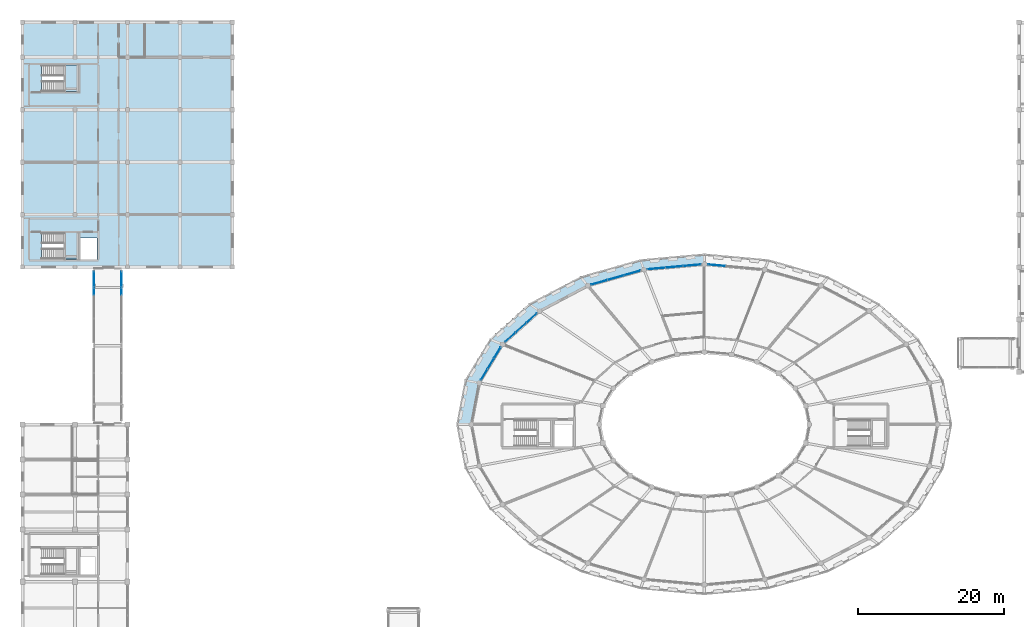
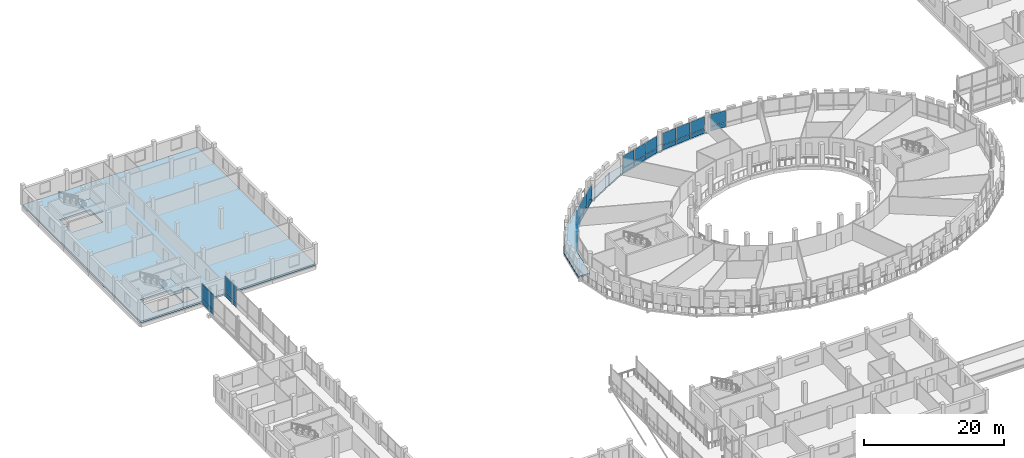
# One storey, part 101 of 128: 30 plates, 4 slabs, 9 elements without a shape of their own.
"""IFC4 building model written with IfcOpenShell, lengths in metres."""

from ifc_helpers import new_model, si_unit, direction, frame, origin, origin_2d, place, context, subcontext, project, spatial, polyline, rectangle, outline, extrude, material, layer, layer_set, type_object, element, aggregate, save


model = new_model("IFC4")

# Units and contexts
model_context = context("Model", 3, precision=1e-05, world=origin(), true_north=direction((0.0, 1.0)))
body_context = subcontext(model_context, "Body", "Model", "MODEL_VIEW")
ifc_project = project(units=[si_unit("LENGTHUNIT", "METRE"), si_unit("AREAUNIT", "SQUARE_METRE"), si_unit("VOLUMEUNIT", "CUBIC_METRE"), si_unit("PLANEANGLEUNIT", "RADIAN"), si_unit("MASSUNIT", "GRAM", prefix="KILO")], contexts=[model_context])

# Site, building, storey
site_placement = place(None, origin())
site = spatial("IfcSite", under=ifc_project, at=site_placement, CompositionType="ELEMENT")
building_placement = place(site_placement, origin())
building = spatial("IfcBuilding", under=site, at=building_placement, Name="Zornivar Specialist Clinic", CompositionType="ELEMENT")
storey_placement = place(building_placement, frame((0.0, 0.0, 4.5)))
storey = spatial("IfcBuildingStorey", under=building, at=storey_placement, Name="L01", CompositionType="ELEMENT", Elevation=4.5)

# Curtain wall, plate
ifc_material_1 = material(Name="Aluminium and Low-E Glass Curtain Wall", Category="aluminium")
curtain_wall_type_1 = type_object("IfcCurtainWallType", Name="CW-DRUM-FACET", PredefinedType="NOTDEFINED", material=ifc_material_1)
curtain_wall_1_placement = place(storey_placement, origin())
curtain_wall_1 = element("IfcCurtainWall", 1, at=curtain_wall_1_placement, inside=storey, type_object=curtain_wall_type_1, Name="cw:V1:L01:c05", PredefinedType="NOTDEFINED")
ifc_material_2 = material(Name="Insulated Bronze Spandrel Panel")
ifc_layer_1 = layer(ifc_material_2, 0.048095703125)
ifc_layer_set_1 = layer_set([ifc_layer_1], Name="Insulated Bronze Spandrel Panel")
plate_type_1 = type_object("IfcPlateType", Name="CWP-SPN-A", PredefinedType="CURTAIN_PANEL", material=ifc_layer_set_1)
plate_1_placement = place(storey_placement, frame((95.299072265625, 79.446044921875, 0.03076171875), z_axis=(0.0, 0.0, 1.0), x_axis=(-0.995932792393, 0.09009923993, 0.0)))
plate_1 = element("IfcPlate", 2, at=plate_1_placement, type_object=plate_type_1, Name="cw:V1:L01:c05:spn:2", PredefinedType="CURTAIN_PANEL", context=body_context, shape_type="SweptSolid", body=[
    extrude(rectangle(XDim=2.382080078125, YDim=0.048095703125, at=origin_2d()), origin(), (0.0, 0.0, 1.0), 0.722900390625),
])

# Curtain wall, plates
curtain_wall_2_placement = place(storey_placement, origin())
curtain_wall_2 = element("IfcCurtainWall", 3, at=curtain_wall_2_placement, inside=storey, type_object=curtain_wall_type_1, Name="cw:V1:L01:c06", PredefinedType="NOTDEFINED")
ifc_material_3 = material(Name="Insulated Bronze Spandrel Panel")
ifc_layer_2 = layer(ifc_material_3, 0.048095703125)
ifc_layer_set_2 = layer_set([ifc_layer_2], Name="Insulated Bronze Spandrel Panel")
plate_type_2 = type_object("IfcPlateType", Name="CWP-SPN-B", PredefinedType="CURTAIN_PANEL", material=ifc_layer_set_2)
plate_2_placement = place(storey_placement, frame((91.90087890625, 79.446044921875, 0.03076171875), z_axis=(0.0, 0.0, 1.0), x_axis=(-0.995932792393, -0.09009923993, 0.0)))
plate_2 = element("IfcPlate", 4, at=plate_2_placement, type_object=plate_type_2, Name="cw:V1:L01:c06:spn:0", PredefinedType="CURTAIN_PANEL", context=body_context, shape_type="SweptSolid", body=[
    extrude(rectangle(XDim=2.382080078125, YDim=0.048095703125, at=origin_2d()), origin(), (0.0, 0.0, 1.0), 0.722900390625),
])
plate_3_placement = place(storey_placement, frame((89.458984375, 79.22509765625, 0.03076171875), z_axis=(0.0, 0.0, 1.0), x_axis=(-0.995932792393, -0.09009923993, 0.0)))
plate_3 = element("IfcPlate", 5, at=plate_3_placement, type_object=plate_type_2, Name="cw:V1:L01:c06:spn:1", PredefinedType="CURTAIN_PANEL", context=body_context, shape_type="SweptSolid", body=[
    extrude(rectangle(XDim=2.382080078125, YDim=0.048095703125, at=origin_2d()), origin(), (0.0, 0.0, 1.0), 0.722900390625),
])
plate_4_placement = place(storey_placement, frame((87.01708984375, 79.00390625, 0.03076171875), z_axis=(0.0, 0.0, 1.0), x_axis=(-0.995932792393, -0.09009923993, 0.0)))
plate_4 = element("IfcPlate", 6, at=plate_4_placement, type_object=plate_type_2, Name="cw:V1:L01:c06:spn:2", PredefinedType="CURTAIN_PANEL", context=body_context, shape_type="SweptSolid", body=[
    extrude(rectangle(XDim=2.382080078125, YDim=0.048095703125, at=origin_2d()), origin(), (0.0, 0.0, 1.0), 0.722900390625),
])

curtain_wall_3_placement = place(storey_placement, origin())
curtain_wall_3 = element("IfcCurtainWall", 7, at=curtain_wall_3_placement, inside=storey, type_object=curtain_wall_type_1, Name="cw:V1:L01:c07", PredefinedType="NOTDEFINED")
ifc_material_4 = material(Name="Insulated Bronze Spandrel Panel")
ifc_layer_3 = layer(ifc_material_4, 0.048095703125)
ifc_layer_set_3 = layer_set([ifc_layer_3], Name="Insulated Bronze Spandrel Panel")
plate_type_3 = type_object("IfcPlateType", Name="CWP-SPN-C", PredefinedType="CURTAIN_PANEL", material=ifc_layer_set_3)
plate_5_placement = place(storey_placement, frame((83.72412109375, 78.39697265625, 0.03076171875), z_axis=(0.0, 0.0, 1.0), x_axis=(-0.961761244933, -0.273889225319, 0.0)))
plate_5 = element("IfcPlate", 8, at=plate_5_placement, type_object=plate_type_3, Name="cw:V1:L01:c07:spn:0", PredefinedType="CURTAIN_PANEL", context=body_context, shape_type="SweptSolid", body=[
    extrude(rectangle(XDim=2.284912109375, YDim=0.048095703125, at=origin_2d()), origin(), (0.0, 0.0, 1.0), 0.722900390625),
])
plate_6_placement = place(storey_placement, frame((81.458984375, 77.751953125, 0.03076171875), z_axis=(0.0, 0.0, 1.0), x_axis=(-0.961761244933, -0.273889225319, 0.0)))
plate_6 = element("IfcPlate", 9, at=plate_6_placement, type_object=plate_type_3, Name="cw:V1:L01:c07:spn:1", PredefinedType="CURTAIN_PANEL", context=body_context, shape_type="SweptSolid", body=[
    extrude(rectangle(XDim=2.284912109375, YDim=0.048095703125, at=origin_2d()), origin(), (0.0, 0.0, 1.0), 0.722900390625),
])
plate_7_placement = place(storey_placement, frame((79.194091796875, 77.10693359375, 0.03076171875), z_axis=(0.0, 0.0, 1.0), x_axis=(-0.961761244933, -0.273889225319, 0.0)))
plate_7 = element("IfcPlate", 10, at=plate_7_placement, type_object=plate_type_3, Name="cw:V1:L01:c07:spn:2", PredefinedType="CURTAIN_PANEL", context=body_context, shape_type="SweptSolid", body=[
    extrude(rectangle(XDim=2.284912109375, YDim=0.048095703125, at=origin_2d()), origin(), (0.0, 0.0, 1.0), 0.722900390625),
])

curtain_wall_4_placement = place(storey_placement, origin())
curtain_wall_4 = element("IfcCurtainWall", 11, at=curtain_wall_4_placement, inside=storey, type_object=curtain_wall_type_1, Name="cw:V1:L01:c09", PredefinedType="NOTDEFINED")
ifc_material_5 = material(Name="Insulated Bronze Spandrel Panel")
ifc_layer_4 = layer(ifc_material_5, 0.0458984375)
ifc_layer_set_4 = layer_set([ifc_layer_4], Name="Insulated Bronze Spandrel Panel")
plate_type_4 = type_object("IfcPlateType", Name="CWP-SPN-E", PredefinedType="CURTAIN_PANEL", material=ifc_layer_set_4)
plate_8_placement = place(storey_placement, frame((69.886962890625, 72.18310546875, 0.03076171875), z_axis=(0.0, 0.0, 1.0), x_axis=(-0.744880599036, -0.667197791648, 0.0)))
plate_8 = element("IfcPlate", 12, at=plate_8_placement, type_object=plate_type_4, Name="cw:V1:L01:c09:spn:0", PredefinedType="CURTAIN_PANEL", context=body_context, shape_type="SweptSolid", body=[
    extrude(rectangle(XDim=1.885986328125, YDim=0.0458984375, at=origin_2d()), origin(), (0.0, 0.0, 1.0), 0.722900390625),
])
plate_9_placement = place(storey_placement, frame((68.429931640625, 70.8779296875, 0.03076171875), z_axis=(0.0, 0.0, 1.0), x_axis=(-0.744880599036, -0.667197791648, 0.0)))
plate_9 = element("IfcPlate", 13, at=plate_9_placement, type_object=plate_type_4, Name="cw:V1:L01:c09:spn:1", PredefinedType="CURTAIN_PANEL", context=body_context, shape_type="SweptSolid", body=[
    extrude(rectangle(XDim=1.885986328125, YDim=0.0458984375, at=origin_2d()), origin(), (0.0, 0.0, 1.0), 0.722900390625),
])
plate_10_placement = place(storey_placement, frame((66.972900390625, 69.572998046875, 0.03076171875), z_axis=(0.0, 0.0, 1.0), x_axis=(-0.744880599036, -0.667197791648, 0.0)))
plate_10 = element("IfcPlate", 14, at=plate_10_placement, type_object=plate_type_4, Name="cw:V1:L01:c09:spn:2", PredefinedType="CURTAIN_PANEL", context=body_context, shape_type="SweptSolid", body=[
    extrude(rectangle(XDim=1.885009765625, YDim=0.0458984375, at=origin_2d()), origin(), (0.0, 0.0, 1.0), 0.722900390625),
])

# Curtain wall, plate
ifc_material_6 = material(Name="Aluminium and Low-E Glass Curtain Wall", Category="aluminium")
curtain_wall_type_2 = type_object("IfcCurtainWallType", Name="CW-BRIDGE-LINK", PredefinedType="NOTDEFINED", material=ifc_material_6)
curtain_wall_5_placement = place(storey_placement, origin())
curtain_wall_5 = element("IfcCurtainWall", 15, at=curtain_wall_5_placement, inside=storey, type_object=curtain_wall_type_2, Name="cw:BR2:L01:W:1", PredefinedType="NOTDEFINED")
plate_11_placement = place(storey_placement, frame((9.800048828125, 76.97998046875, 0.030029296875), z_axis=(0.0, 0.0, 1.0), x_axis=(0.0, 1.0, 0.0)))
plate_11 = element("IfcPlate", 16, at=plate_11_placement, type_object=plate_type_4, Name="cw:BR2:L01:W:1:spn:2", PredefinedType="CURTAIN_PANEL", context=body_context, shape_type="SweptSolid", body=[
    extrude(rectangle(XDim=3.169921875, YDim=0.0458984375, at=origin_2d()), origin(), (0.0, 0.0, 1.0), 0.7900390625),
])

curtain_wall_6_placement = place(storey_placement, origin())
curtain_wall_6 = element("IfcCurtainWall", 17, at=curtain_wall_6_placement, inside=storey, type_object=curtain_wall_type_2, Name="cw:BR2:L01:E:1", PredefinedType="NOTDEFINED")
plate_12_placement = place(storey_placement, frame((13.60009765625, 76.97998046875, 0.030029296875), z_axis=(0.0, 0.0, 1.0), x_axis=(0.0, 1.0, 0.0)))
plate_12 = element("IfcPlate", 18, at=plate_12_placement, type_object=plate_type_4, Name="cw:BR2:L01:E:1:spn:2", PredefinedType="CURTAIN_PANEL", context=body_context, shape_type="SweptSolid", body=[
    extrude(rectangle(XDim=3.169921875, YDim=0.0458984375, at=origin_2d()), origin(), (0.0, 0.0, 1.0), 0.7900390625),
])

# Curtain wall, plates
curtain_wall_7_placement = place(storey_placement, origin())
curtain_wall_7 = element("IfcCurtainWall", 19, at=curtain_wall_7_placement, inside=storey, type_object=curtain_wall_type_1, Name="cw:V1:L01:c10", PredefinedType="NOTDEFINED")
ifc_material_7 = material(Name="Insulated Terracotta Spandrel Panel", Category="masonry")
ifc_layer_5 = layer(ifc_material_7, 0.05810546875)
ifc_layer_set_5 = layer_set([ifc_layer_5], Name="Insulated Terracotta Spandrel Panel")
plate_type_5 = type_object("IfcPlateType", Name="CWP-SPN-F", PredefinedType="CURTAIN_PANEL", material=ifc_layer_set_5)
plate_13_placement = place(storey_placement, frame((65.18896484375, 67.44091796875, 0.03076171875), z_axis=(0.0, 0.0, 1.0), x_axis=(-0.516127401954, -0.856511824175, 0.0)))
plate_13 = element("IfcPlate", 20, at=plate_13_placement, type_object=plate_type_5, Name="cw:V1:L01:c10:spn:0", PredefinedType="CURTAIN_PANEL", context=body_context, shape_type="SweptSolid", body=[
    extrude(rectangle(XDim=1.675048828125, YDim=0.05810546875, at=origin_2d()), origin(), (0.0, 0.0, 1.0), 0.722900390625),
])
plate_14_placement = place(storey_placement, frame((64.2890625, 65.947021484375, 0.03076171875), z_axis=(0.0, 0.0, 1.0), x_axis=(-0.516127401954, -0.856511824175, 0.0)))
plate_14 = element("IfcPlate", 21, at=plate_14_placement, type_object=plate_type_5, Name="cw:V1:L01:c10:spn:1", PredefinedType="CURTAIN_PANEL", context=body_context, shape_type="SweptSolid", body=[
    extrude(rectangle(XDim=1.675048828125, YDim=0.05810546875, at=origin_2d()), origin(), (0.0, 0.0, 1.0), 0.722900390625),
])
plate_15_placement = place(storey_placement, frame((63.387939453125, 64.451904296875, 0.03076171875), z_axis=(0.0, 0.0, 1.0), x_axis=(-0.516127401954, -0.856511824175, 0.0)))
plate_15 = element("IfcPlate", 22, at=plate_15_placement, type_object=plate_type_5, Name="cw:V1:L01:c10:spn:2", PredefinedType="CURTAIN_PANEL", context=body_context, shape_type="SweptSolid", body=[
    extrude(rectangle(XDim=1.675048828125, YDim=0.05810546875, at=origin_2d()), origin(), (0.0, 0.0, 1.0), 0.722900390625),
])

# Plate
ifc_material_8 = material(Name="Triple Low-E Vision Glass", Category="glass")
ifc_layer_6 = layer(ifc_material_8, 0.035888671875)
ifc_layer_set_6 = layer_set([ifc_layer_6], Name="Triple Low-E Vision Glass")
plate_type_6 = type_object("IfcPlateType", Name="CWP-VIS-A", PredefinedType="CURTAIN_PANEL", material=ifc_layer_set_6)
plate_16_placement = place(storey_placement, frame((69.886962890625, 72.18310546875, 0.81787109375), z_axis=(0.0, 0.0, 1.0), x_axis=(-0.744880599036, -0.667197791648, 0.0)))
plate_16 = element("IfcPlate", 23, at=plate_16_placement, type_object=plate_type_6, Name="cw:V1:L01:c09:vis:0", PredefinedType="CURTAIN_PANEL", context=body_context, shape_type="SweptSolid", body=[
    extrude(rectangle(XDim=1.885986328125, YDim=0.035888671875, at=origin_2d()), origin(), (0.0, 0.0, 1.0), 2.092041015625),
])

plate_17_placement = place(storey_placement, frame((68.429931640625, 70.8779296875, 0.81787109375), z_axis=(0.0, 0.0, 1.0), x_axis=(-0.744880599036, -0.667197791648, 0.0)))
plate_17 = element("IfcPlate", 24, at=plate_17_placement, type_object=plate_type_6, Name="cw:V1:L01:c09:vis:1", PredefinedType="CURTAIN_PANEL", context=body_context, shape_type="SweptSolid", body=[
    extrude(rectangle(XDim=1.885986328125, YDim=0.035888671875, at=origin_2d()), origin(), (0.0, 0.0, 1.0), 2.092041015625),
])

plate_18_placement = place(storey_placement, frame((66.972900390625, 69.572998046875, 0.81787109375), z_axis=(0.0, 0.0, 1.0), x_axis=(-0.744880599036, -0.667197791648, 0.0)))
plate_18 = element("IfcPlate", 25, at=plate_18_placement, type_object=plate_type_6, Name="cw:V1:L01:c09:vis:2", PredefinedType="CURTAIN_PANEL", context=body_context, shape_type="SweptSolid", body=[
    extrude(rectangle(XDim=1.885009765625, YDim=0.035888671875, at=origin_2d()), origin(), (0.0, 0.0, 1.0), 2.092041015625),
])

aggregate(curtain_wall_4, [plate_8, plate_16, plate_9, plate_17, plate_10, plate_18])

ifc_material_9 = material(Name="Triple Low-E Vision Glass", Category="glass")
ifc_layer_7 = layer(ifc_material_9, 0.035888671875)
ifc_layer_set_7 = layer_set([ifc_layer_7], Name="Triple Low-E Vision Glass")
plate_type_7 = type_object("IfcPlateType", Name="CWP-VIS-B", PredefinedType="CURTAIN_PANEL", material=ifc_layer_set_7)
plate_19_placement = place(storey_placement, frame((65.18896484375, 67.44091796875, 0.81787109375), z_axis=(0.0, 0.0, 1.0), x_axis=(-0.516127401954, -0.856511824175, 0.0)))
plate_19 = element("IfcPlate", 26, at=plate_19_placement, type_object=plate_type_7, Name="cw:V1:L01:c10:vis:0", PredefinedType="CURTAIN_PANEL", context=body_context, shape_type="SweptSolid", body=[
    extrude(rectangle(XDim=1.675048828125, YDim=0.035888671875, at=origin_2d()), origin(), (0.0, 0.0, 1.0), 2.092041015625),
])

plate_20_placement = place(storey_placement, frame((64.2890625, 65.947021484375, 0.81787109375), z_axis=(0.0, 0.0, 1.0), x_axis=(-0.516127401954, -0.856511824175, 0.0)))
plate_20 = element("IfcPlate", 27, at=plate_20_placement, type_object=plate_type_7, Name="cw:V1:L01:c10:vis:1", PredefinedType="CURTAIN_PANEL", context=body_context, shape_type="SweptSolid", body=[
    extrude(rectangle(XDim=1.675048828125, YDim=0.035888671875, at=origin_2d()), origin(), (0.0, 0.0, 1.0), 2.092041015625),
])

plate_21_placement = place(storey_placement, frame((63.387939453125, 64.451904296875, 0.81787109375), z_axis=(0.0, 0.0, 1.0), x_axis=(-0.516127401954, -0.856511824175, 0.0)))
plate_21 = element("IfcPlate", 28, at=plate_21_placement, type_object=plate_type_7, Name="cw:V1:L01:c10:vis:2", PredefinedType="CURTAIN_PANEL", context=body_context, shape_type="SweptSolid", body=[
    extrude(rectangle(XDim=1.675048828125, YDim=0.035888671875, at=origin_2d()), origin(), (0.0, 0.0, 1.0), 2.092041015625),
])

aggregate(curtain_wall_7, [plate_13, plate_19, plate_14, plate_20, plate_15, plate_21])

ifc_material_10 = material(Name="Triple Low-E Vision Glass", Category="glass")
ifc_layer_8 = layer(ifc_material_10, 0.035888671875)
ifc_layer_set_8 = layer_set([ifc_layer_8], Name="Triple Low-E Vision Glass")
plate_type_8 = type_object("IfcPlateType", Name="CWP-VIS-G", PredefinedType="CURTAIN_PANEL", material=ifc_layer_set_8)
plate_22_placement = place(storey_placement, frame((95.299072265625, 79.446044921875, 0.81787109375), z_axis=(0.0, 0.0, 1.0), x_axis=(-0.995932792393, 0.09009923993, 0.0)))
plate_22 = element("IfcPlate", 29, at=plate_22_placement, type_object=plate_type_8, Name="cw:V1:L01:c05:vis:2", PredefinedType="CURTAIN_PANEL", context=body_context, shape_type="SweptSolid", body=[
    extrude(rectangle(XDim=2.382080078125, YDim=0.035888671875, at=origin_2d()), origin(), (0.0, 0.0, 1.0), 2.092041015625),
])

aggregate(curtain_wall_1, [plate_1, plate_22])

ifc_material_11 = material(Name="Triple Low-E Vision Glass", Category="glass")
ifc_layer_9 = layer(ifc_material_11, 0.033935546875)
ifc_layer_set_9 = layer_set([ifc_layer_9], Name="Triple Low-E Vision Glass")
plate_type_9 = type_object("IfcPlateType", Name="CWP-VIS-H", PredefinedType="CURTAIN_PANEL", material=ifc_layer_set_9)
plate_23_placement = place(storey_placement, frame((91.90087890625, 79.446044921875, 0.81787109375), z_axis=(0.0, 0.0, 1.0), x_axis=(-0.995932792393, -0.09009923993, 0.0)))
plate_23 = element("IfcPlate", 30, at=plate_23_placement, type_object=plate_type_9, Name="cw:V1:L01:c06:vis:0", PredefinedType="CURTAIN_PANEL", context=body_context, shape_type="SweptSolid", body=[
    extrude(rectangle(XDim=2.382080078125, YDim=0.033935546875, at=origin_2d()), origin(), (0.0, 0.0, 1.0), 2.092041015625),
])

plate_24_placement = place(storey_placement, frame((89.458984375, 79.22509765625, 0.81787109375), z_axis=(0.0, 0.0, 1.0), x_axis=(-0.995932792393, -0.09009923993, 0.0)))
plate_24 = element("IfcPlate", 31, at=plate_24_placement, type_object=plate_type_9, Name="cw:V1:L01:c06:vis:1", PredefinedType="CURTAIN_PANEL", context=body_context, shape_type="SweptSolid", body=[
    extrude(rectangle(XDim=2.382080078125, YDim=0.033935546875, at=origin_2d()), origin(), (0.0, 0.0, 1.0), 2.092041015625),
])

plate_25_placement = place(storey_placement, frame((87.01708984375, 79.00390625, 0.81787109375), z_axis=(0.0, 0.0, 1.0), x_axis=(-0.995932792393, -0.09009923993, 0.0)))
plate_25 = element("IfcPlate", 32, at=plate_25_placement, type_object=plate_type_9, Name="cw:V1:L01:c06:vis:2", PredefinedType="CURTAIN_PANEL", context=body_context, shape_type="SweptSolid", body=[
    extrude(rectangle(XDim=2.382080078125, YDim=0.033935546875, at=origin_2d()), origin(), (0.0, 0.0, 1.0), 2.092041015625),
])

aggregate(curtain_wall_2, [plate_2, plate_23, plate_3, plate_24, plate_4, plate_25])

ifc_material_12 = material(Name="Triple Low-E Vision Glass", Category="glass")
ifc_layer_10 = layer(ifc_material_12, 0.033935546875)
ifc_layer_set_10 = layer_set([ifc_layer_10], Name="Triple Low-E Vision Glass")
plate_type_10 = type_object("IfcPlateType", Name="CWP-VIS-J", PredefinedType="CURTAIN_PANEL", material=ifc_layer_set_10)
plate_26_placement = place(storey_placement, frame((83.72412109375, 78.39697265625, 0.81787109375), z_axis=(0.0, 0.0, 1.0), x_axis=(-0.961761244933, -0.273889225319, 0.0)))
plate_26 = element("IfcPlate", 33, at=plate_26_placement, type_object=plate_type_10, Name="cw:V1:L01:c07:vis:0", PredefinedType="CURTAIN_PANEL", context=body_context, shape_type="SweptSolid", body=[
    extrude(rectangle(XDim=2.284912109375, YDim=0.033935546875, at=origin_2d()), origin(), (0.0, 0.0, 1.0), 2.092041015625),
])

plate_27_placement = place(storey_placement, frame((81.458984375, 77.751953125, 0.81787109375), z_axis=(0.0, 0.0, 1.0), x_axis=(-0.961761244933, -0.273889225319, 0.0)))
plate_27 = element("IfcPlate", 34, at=plate_27_placement, type_object=plate_type_10, Name="cw:V1:L01:c07:vis:1", PredefinedType="CURTAIN_PANEL", context=body_context, shape_type="SweptSolid", body=[
    extrude(rectangle(XDim=2.284912109375, YDim=0.033935546875, at=origin_2d()), origin(), (0.0, 0.0, 1.0), 2.092041015625),
])

plate_28_placement = place(storey_placement, frame((79.194091796875, 77.10693359375, 0.81787109375), z_axis=(0.0, 0.0, 1.0), x_axis=(-0.961761244933, -0.273889225319, 0.0)))
plate_28 = element("IfcPlate", 35, at=plate_28_placement, type_object=plate_type_10, Name="cw:V1:L01:c07:vis:2", PredefinedType="CURTAIN_PANEL", context=body_context, shape_type="SweptSolid", body=[
    extrude(rectangle(XDim=2.284912109375, YDim=0.033935546875, at=origin_2d()), origin(), (0.0, 0.0, 1.0), 2.092041015625),
])

aggregate(curtain_wall_3, [plate_5, plate_26, plate_6, plate_27, plate_7, plate_28])

ifc_material_13 = material(Name="Bridge Acoustic Laminated Glass", Category="glass")
ifc_layer_11 = layer(ifc_material_13, 0.035888671875)
ifc_layer_set_11 = layer_set([ifc_layer_11], Name="Bridge Acoustic Laminated Glass")
plate_type_11 = type_object("IfcPlateType", Name="CWP-VIS-M", PredefinedType="CURTAIN_PANEL", material=ifc_layer_set_11)
plate_29_placement = place(storey_placement, frame((9.800048828125, 76.97998046875, 0.88427734375), z_axis=(0.0, 0.0, 1.0), x_axis=(0.0, 1.0, 0.0)))
plate_29 = element("IfcPlate", 36, at=plate_29_placement, type_object=plate_type_11, Name="cw:BR2:L01:W:1:vis:2", PredefinedType="CURTAIN_PANEL", context=body_context, shape_type="SweptSolid", body=[
    extrude(rectangle(XDim=3.169921875, YDim=0.035888671875, at=origin_2d()), origin(), (0.0, 0.0, 1.0), 2.655029296875),
])

aggregate(curtain_wall_5, [plate_11, plate_29])

plate_30_placement = place(storey_placement, frame((13.60009765625, 76.97998046875, 0.88427734375), z_axis=(0.0, 0.0, 1.0), x_axis=(0.0, 1.0, 0.0)))
plate_30 = element("IfcPlate", 37, at=plate_30_placement, type_object=plate_type_11, Name="cw:BR2:L01:E:1:vis:2", PredefinedType="CURTAIN_PANEL", context=body_context, shape_type="SweptSolid", body=[
    extrude(rectangle(XDim=3.169921875, YDim=0.035888671875, at=origin_2d()), origin(), (0.0, 0.0, 1.0), 2.655029296875),
])

aggregate(curtain_wall_6, [plate_12, plate_30])

# Slabs
ifc_material_14 = material(Name="Concrete C30/37", Category="concrete")
ifc_layer_12 = layer(ifc_material_14, 0.239990234375)
ifc_layer_set_12 = layer_set([ifc_layer_12], Name="Concrete C30/37")
slab_type_1 = type_object("IfcSlabType", Name="SLB-EXT-BALC-240", PredefinedType="FLOOR", material=ifc_layer_set_12)
slab_1_placement = place(storey_placement, frame((0.0, 0.0, -0.239990234375)))
element("IfcSlab", 38, at=slab_1_placement, inside=storey, type_object=slab_type_1, Name="slab:V1:L01:balc:q1", PredefinedType="FLOOR", context=body_context, shape_type="SweptSolid", body=[
    extrude(outline(polyline([(93.60009765625, 79.60009765625), (85.318115234375, 78.85009765625), (77.60009765625, 76.653076171875), (70.972900390625, 73.156005859375), (65.886962890625, 68.60009765625), (62.68994140625, 63.2939453125), (61.60009765625, 57.60009765625), (59.679931640625, 57.60009765625), (60.8359375, 63.635986328125), (64.22412109375, 69.260009765625), (69.614990234375, 74.090087890625), (76.639892578125, 77.7958984375), (84.821044921875, 80.125), (93.60009765625, 80.919921875), (93.60009765625, 79.60009765625)])), origin(), (0.0, 0.0, 1.0), 0.239990234375),
])
ifc_material_15 = material(Name="Concrete C30/37", Category="concrete")
ifc_layer_13 = layer(ifc_material_15, 0.31005859375)
ifc_layer_set_13 = layer_set([ifc_layer_13], Name="Concrete C30/37")
slab_type_2 = type_object("IfcSlabType", Name="SLB-FLR-PROC-310", PredefinedType="FLOOR", material=ifc_layer_set_13)
slab_2_placement = place(storey_placement, frame((0.0, 0.0, -0.31005859375)))
element("IfcSlab", 39, at=slab_2_placement, inside=storey, type_object=slab_type_2, Name="slab:V5:L01:main", PredefinedType="FLOOR", context=body_context, shape_type="SweptSolid", body=[
    extrude(outline(polyline([(0.0, 79.199951171875), (28.800048828125, 79.199951171875), (28.800048828125, 112.800048828125), (0.0, 112.800048828125), (0.0, 79.199951171875)]), holes=[polyline([(2.6201171875, 80.300048828125), (7.699951171875, 80.300048828125), (7.699951171875, 83.89990234375), (2.6201171875, 83.89990234375), (2.6201171875, 80.300048828125)]), polyline([(7.800048828125, 80.199951171875), (10.199951171875, 80.199951171875), (10.199951171875, 83.199951171875), (7.800048828125, 83.199951171875), (7.800048828125, 80.199951171875)]), polyline([(2.6201171875, 103.300048828125), (7.699951171875, 103.300048828125), (7.699951171875, 106.89990234375), (2.6201171875, 106.89990234375), (2.6201171875, 103.300048828125)])]), origin(), (0.0, 0.0, 1.0), 0.31005859375),
])

# Stair, slab
ifc_material_16 = material(Name="Concrete C30/37", Category="concrete")
stair_type = type_object("IfcStairType", Name="STR-CORE-TYP-3900", PredefinedType="HALF_TURN_STAIR", material=ifc_material_16)
stair_1_placement = place(storey_placement, origin())
stair_1 = element("IfcStair", 40, at=stair_1_placement, inside=storey, type_object=stair_type, Name="stair:C7:L01", PredefinedType="HALF_TURN_STAIR")
ifc_material_17 = material(Name="Concrete C30/37", Category="concrete")
ifc_layer_14 = layer(ifc_material_17, 0.179931640625)
ifc_layer_set_14 = layer_set([ifc_layer_14], Name="Concrete C30/37")
slab_type_3 = type_object("IfcSlabType", Name="SLB-LANDING-180", PredefinedType="LANDING", material=ifc_layer_set_14)
slab_3_placement = place(storey_placement, frame((0.0, 0.0, 1.77001953125)))
slab_3 = element("IfcSlab", 41, at=slab_3_placement, type_object=slab_type_3, Name="stair:C7:L01:land", PredefinedType="LANDING", context=body_context, shape_type="SweptSolid", body=[
    extrude(outline(polyline([(5.659912109375, 80.280029296875), (7.719970703125, 80.280029296875), (7.719970703125, 83.919921875), (5.659912109375, 83.919921875), (5.659912109375, 80.280029296875)])), origin(), (0.0, 0.0, 1.0), 0.179931640625),
])
aggregate(stair_1, [slab_3])

stair_2_placement = place(storey_placement, origin())
stair_2 = element("IfcStair", 42, at=stair_2_placement, inside=storey, type_object=stair_type, Name="stair:C8:L01", PredefinedType="HALF_TURN_STAIR")
slab_4_placement = place(storey_placement, frame((0.0, 0.0, 1.77001953125)))
slab_4 = element("IfcSlab", 43, at=slab_4_placement, type_object=slab_type_3, Name="stair:C8:L01:land", PredefinedType="LANDING", context=body_context, shape_type="SweptSolid", body=[
    extrude(outline(polyline([(5.659912109375, 103.280029296875), (7.719970703125, 103.280029296875), (7.719970703125, 106.919921875), (5.659912109375, 106.919921875), (5.659912109375, 103.280029296875)])), origin(), (0.0, 0.0, 1.0), 0.179931640625),
])
aggregate(stair_2, [slab_4])

save(model, "model.ifc")
